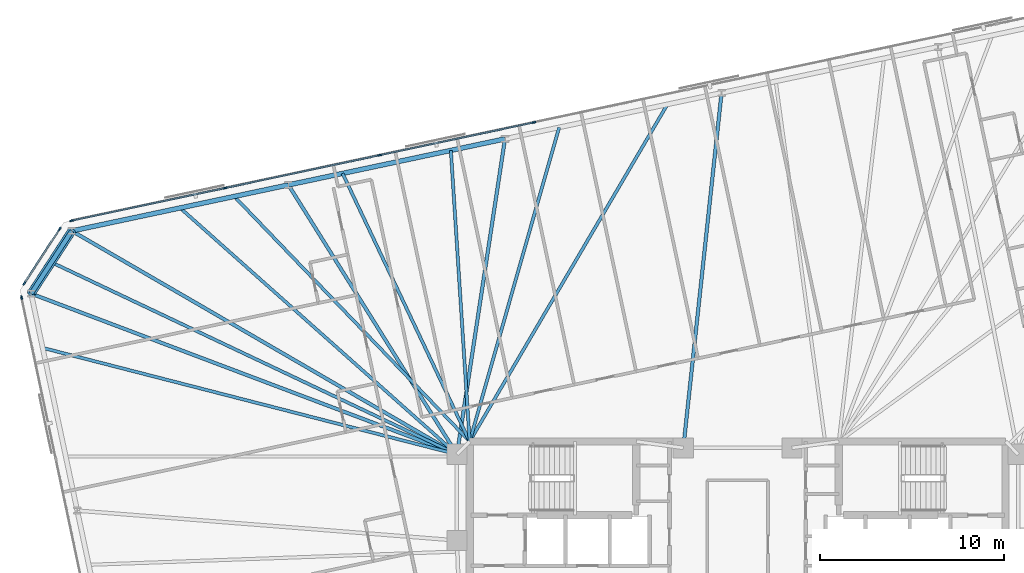
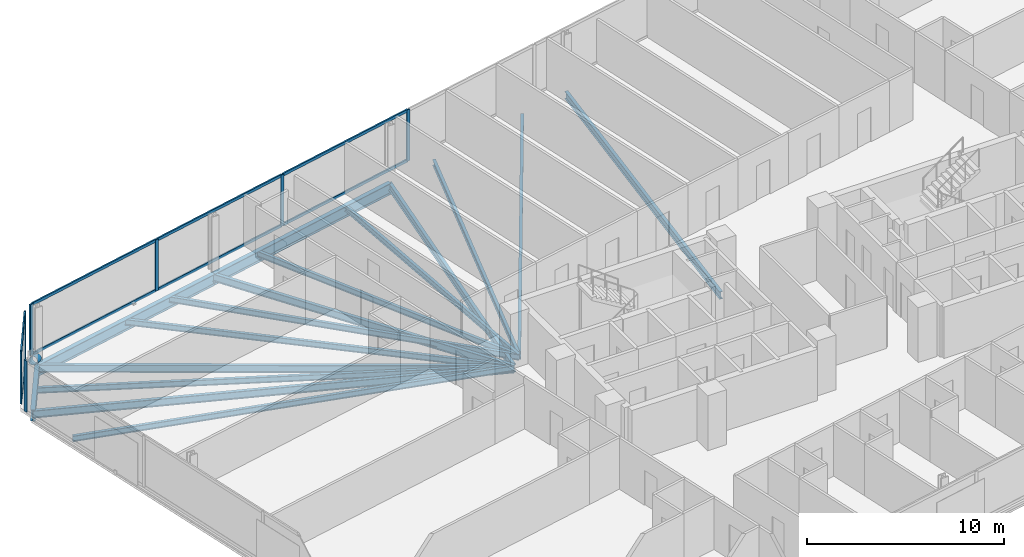
# One storey, part 9 of 21: 16 beams, 16 members, 3 elements without a shape of their own.
"""IFC4 building model written with IfcOpenShell, lengths in metres."""

from ifc_helpers import new_model, si_unit, direction, frame, origin, origin_2d, place, context, subcontext, project, spatial, rectangle, hollow_circle, i_section, extrude, material, material_profile, profile_set, type_object, element, aggregate, save


model = new_model("IFC4")

# Units and contexts
model_context = context("Model", 3, precision=1e-05, world=origin(), true_north=direction((0.0, 1.0)))
body_context = subcontext(model_context, "Body", "Model", "MODEL_VIEW")
ifc_project = project(units=[si_unit("LENGTHUNIT", "METRE"), si_unit("AREAUNIT", "SQUARE_METRE"), si_unit("VOLUMEUNIT", "CUBIC_METRE"), si_unit("PLANEANGLEUNIT", "RADIAN"), si_unit("MASSUNIT", "GRAM", prefix="KILO")], contexts=[model_context])

# Site, building, storey
site_placement = place(None, origin())
site = spatial("IfcSite", under=ifc_project, at=site_placement, CompositionType="ELEMENT")
building_placement = place(site_placement, origin())
building = spatial("IfcBuilding", under=site, at=building_placement, Name="Menara Jurai Vektor", CompositionType="ELEMENT")
storey_placement = place(building_placement, frame((0.0, 0.0, 188.800048828125)))
storey = spatial("IfcBuildingStorey", under=building, at=storey_placement, Name="L49", CompositionType="ELEMENT", Elevation=188.800048828125)

# Curtain wall, members
ifc_material_1 = material(Name="Anodised Pale Aluminium & Low-E Double Glazing", Category="aluminium")
curtain_wall_type = type_object("IfcCurtainWallType", Name="CW-BLK3", PredefinedType="NOTDEFINED", material=ifc_material_1)
curtain_wall_1_placement = place(storey_placement, origin())
curtain_wall_1 = element("IfcCurtainWall", 1, at=curtain_wall_1_placement, inside=storey, type_object=curtain_wall_type, Name="Unitised Curtain Wall L49 F05", PredefinedType="NOTDEFINED")
ifc_material_2 = material(Name="Anodised Pale Aluminium Mullion", Category="aluminium")
ifc_material_profile_1 = material_profile(ifc_material_2, rectangle(XDim=0.0849609375, YDim=0.205078125, at=origin_2d()), Name="ALU MUL 85x205")
ifc_profile_set_1 = profile_set([ifc_material_profile_1], Name="Anodised Pale Aluminium Mullion")
member_type_1 = type_object("IfcMemberType", Name="CW-BLK3-MUL", PredefinedType="MULLION", material=ifc_profile_set_1)
member_1_placement = place(storey_placement, frame((-11.06494140625, 22.9384765625, 0.0), z_axis=(0.0, 0.0, 1.0), x_axis=(0.207911344156, -0.978147674419, 0.0)))
member_1 = element("IfcMember", 2, at=member_1_placement, type_object=member_type_1, Name="CW-03 mullion 5", PredefinedType="MULLION", context=body_context, shape_type="SweptSolid", body=[
    extrude(rectangle(XDim=0.0849609375, YDim=0.205078125, at=origin_2d()), origin(), (0.0, 0.0, 1.0), 3.175048828125),
])
member_2_placement = place(storey_placement, frame((-19.45458984375, 21.1552734375, 0.0), z_axis=(0.0, 0.0, 1.0), x_axis=(0.207911344156, -0.978147674419, 0.0)))
member_2 = element("IfcMember", 3, at=member_2_placement, type_object=member_type_1, Name="CW-03 mullion 6", PredefinedType="MULLION", context=body_context, shape_type="SweptSolid", body=[
    extrude(rectangle(XDim=0.0849609375, YDim=0.205078125, at=origin_2d()), origin(), (0.0, 0.0, 1.0), 3.175048828125),
])
member_3_placement = place(storey_placement, frame((-27.844482421875, 19.3720703125, 0.0), z_axis=(0.0, 0.0, 1.0), x_axis=(0.207911344156, -0.978147674419, 0.0)))
member_3 = element("IfcMember", 4, at=member_3_placement, type_object=member_type_1, Name="CW-03 mullion 7", PredefinedType="MULLION", context=body_context, shape_type="SweptSolid", body=[
    extrude(rectangle(XDim=0.0849609375, YDim=0.205078125, at=origin_2d()), origin(), (0.0, 0.0, 1.0), 3.175048828125),
])
member_4_placement = place(storey_placement, frame((-36.192626953125, 17.59765625, 0.0), z_axis=(0.0, 0.0, 1.0), x_axis=(0.207911344156, -0.978147674419, 0.0)))
member_4 = element("IfcMember", 5, at=member_4_placement, type_object=member_type_1, Name="CW-03 mullion 8", PredefinedType="MULLION", context=body_context, shape_type="SweptSolid", body=[
    extrude(rectangle(XDim=0.0849609375, YDim=0.205078125, at=origin_2d()), origin(), (0.0, 0.0, 1.0), 3.175048828125),
])

curtain_wall_2_placement = place(storey_placement, origin())
curtain_wall_2 = element("IfcCurtainWall", 6, at=curtain_wall_2_placement, inside=storey, type_object=curtain_wall_type, Name="Unitised Curtain Wall L49 F06", PredefinedType="NOTDEFINED")
member_5_placement = place(storey_placement, frame((-36.8359375, 17.1552734375, 0.0), z_axis=(0.0, 0.0, 1.0), x_axis=(0.838684361415, -0.544617794346, 0.0)))
member_5 = element("IfcMember", 7, at=member_5_placement, type_object=member_type_1, Name="CW-03 mullion 1", PredefinedType="MULLION", context=body_context, shape_type="SweptSolid", body=[
    extrude(rectangle(XDim=0.0849609375, YDim=0.205078125, at=origin_2d()), origin(), (0.0, 0.0, 1.0), 3.175048828125),
])
member_6_placement = place(storey_placement, frame((-38.763427734375, 14.187255859375, 0.0), z_axis=(0.0, 0.0, 1.0), x_axis=(0.838684361415, -0.544617794346, 0.0)))
member_6 = element("IfcMember", 8, at=member_6_placement, type_object=member_type_1, Name="CW-03 mullion 2", PredefinedType="MULLION", context=body_context, shape_type="SweptSolid", body=[
    extrude(rectangle(XDim=0.0849609375, YDim=0.205078125, at=origin_2d()), origin(), (0.0, 0.0, 1.0), 3.175048828125),
])

# Curtain wall, member
curtain_wall_3_placement = place(storey_placement, origin())
curtain_wall_3 = element("IfcCurtainWall", 9, at=curtain_wall_3_placement, inside=storey, type_object=curtain_wall_type, Name="Unitised Curtain Wall L49 F07", PredefinedType="NOTDEFINED")
member_7_placement = place(storey_placement, frame((-38.90576171875, 13.419677734375, 0.0), z_axis=(0.0, 0.0, 1.0), x_axis=(0.978147883949, 0.20791035839, 0.0)))
member_7 = element("IfcMember", 10, at=member_7_placement, type_object=member_type_1, Name="CW-03 mullion 1", PredefinedType="MULLION", context=body_context, shape_type="SweptSolid", body=[
    extrude(rectangle(XDim=0.0849609375, YDim=0.205078125, at=origin_2d()), origin(), (0.0, 0.0, 1.0), 3.175048828125),
])
aggregate(curtain_wall_3, [member_7])

# Member
ifc_material_3 = material(Name="Anodised Pale Aluminium Transom", Category="aluminium")
ifc_material_profile_2 = material_profile(ifc_material_3, rectangle(XDim=0.0849609375, YDim=0.175048828125, at=origin_2d()), Name="ALU TRN 85x175")
ifc_profile_set_2 = profile_set([ifc_material_profile_2], Name="Anodised Pale Aluminium Transom")
member_type_2 = type_object("IfcMemberType", Name="CW-BLK3-TRN", PredefinedType="USERDEFINED", material=ifc_profile_set_2)
member_8_placement = place(storey_placement, frame((-11.1064453125, 22.9296875, 0.04248046875), z_axis=(-0.978147743708, -0.207911018178, 0.0), x_axis=(0.207911018178, -0.978147743708, 0.0)))
member_8 = element("IfcMember", 11, at=member_8_placement, type_object=member_type_2, Name="CW-03 transom 5.1", ObjectType="TRANSOM", PredefinedType="USERDEFINED", context=body_context, shape_type="SweptSolid", body=[
    extrude(rectangle(XDim=0.0849609375, YDim=0.175048828125, at=origin_2d()), origin(), (0.0, 0.0, 1.0), 8.4921875),
])

member_9_placement = place(storey_placement, frame((-11.1064453125, 22.9296875, 3.132568359375), z_axis=(-0.978147743708, -0.207911018178, 0.0), x_axis=(0.207911018178, -0.978147743708, 0.0)))
member_9 = element("IfcMember", 12, at=member_9_placement, type_object=member_type_2, Name="CW-03 transom 5.2", ObjectType="TRANSOM", PredefinedType="USERDEFINED", context=body_context, shape_type="SweptSolid", body=[
    extrude(rectangle(XDim=0.0849609375, YDim=0.175048828125, at=origin_2d()), origin(), (0.0, 0.0, 1.0), 8.4921875),
])

member_10_placement = place(storey_placement, frame((-19.496337890625, 21.146484375, 0.04248046875), z_axis=(-0.978146500933, -0.207916864907, 0.0), x_axis=(0.207916864907, -0.978146500933, 0.0)))
member_10 = element("IfcMember", 13, at=member_10_placement, type_object=member_type_2, Name="CW-03 transom 6.1", ObjectType="TRANSOM", PredefinedType="USERDEFINED", context=body_context, shape_type="SweptSolid", body=[
    extrude(rectangle(XDim=0.0849609375, YDim=0.175048828125, at=origin_2d()), origin(), (0.0, 0.0, 1.0), 8.491943359375),
])

member_11_placement = place(storey_placement, frame((-19.496337890625, 21.146484375, 3.132568359375), z_axis=(-0.978146500933, -0.207916864907, 0.0), x_axis=(0.207916864907, -0.978146500933, 0.0)))
member_11 = element("IfcMember", 14, at=member_11_placement, type_object=member_type_2, Name="CW-03 transom 6.2", ObjectType="TRANSOM", PredefinedType="USERDEFINED", context=body_context, shape_type="SweptSolid", body=[
    extrude(rectangle(XDim=0.0849609375, YDim=0.175048828125, at=origin_2d()), origin(), (0.0, 0.0, 1.0), 8.491943359375),
])

member_12_placement = place(storey_placement, frame((-27.885986328125, 19.363037109375, 0.04248046875), z_axis=(-0.978151580361, -0.207892967261, 0.0), x_axis=(0.207892967261, -0.978151580361, 0.0)))
member_12 = element("IfcMember", 15, at=member_12_placement, type_object=member_type_2, Name="CW-03 transom 7.1", ObjectType="TRANSOM", PredefinedType="USERDEFINED", context=body_context, shape_type="SweptSolid", body=[
    extrude(rectangle(XDim=0.0849609375, YDim=0.175048828125, at=origin_2d()), origin(), (0.0, 0.0, 1.0), 8.449462890625),
])

member_13_placement = place(storey_placement, frame((-27.885986328125, 19.363037109375, 3.132568359375), z_axis=(-0.978151580361, -0.207892967261, 0.0), x_axis=(0.207892967261, -0.978151580361, 0.0)))
member_13 = element("IfcMember", 16, at=member_13_placement, type_object=member_type_2, Name="CW-03 transom 7.2", ObjectType="TRANSOM", PredefinedType="USERDEFINED", context=body_context, shape_type="SweptSolid", body=[
    extrude(rectangle(XDim=0.0849609375, YDim=0.175048828125, at=origin_2d()), origin(), (0.0, 0.0, 1.0), 8.449462890625),
])

aggregate(curtain_wall_1, [member_1, member_2, member_3, member_4, member_8, member_9, member_10, member_11, member_12, member_13])

member_14_placement = place(storey_placement, frame((-36.859130859375, 17.11962890625, 0.04248046875), z_axis=(-0.54462804274, -0.83867770631, 0.0), x_axis=(0.83867770631, -0.54462804274, 0.0)))
member_14 = element("IfcMember", 17, at=member_14_placement, type_object=member_type_2, Name="CW-03 transom 1.1", ObjectType="TRANSOM", PredefinedType="USERDEFINED", context=body_context, shape_type="SweptSolid", body=[
    extrude(rectangle(XDim=0.0849609375, YDim=0.175048828125, at=origin_2d()), origin(), (0.0, 0.0, 1.0), 3.453857421875),
])

member_15_placement = place(storey_placement, frame((-36.859130859375, 17.11962890625, 3.132568359375), z_axis=(-0.54462804274, -0.83867770631, 0.0), x_axis=(0.83867770631, -0.54462804274, 0.0)))
member_15 = element("IfcMember", 18, at=member_15_placement, type_object=member_type_2, Name="CW-03 transom 1.2", ObjectType="TRANSOM", PredefinedType="USERDEFINED", context=body_context, shape_type="SweptSolid", body=[
    extrude(rectangle(XDim=0.0849609375, YDim=0.175048828125, at=origin_2d()), origin(), (0.0, 0.0, 1.0), 3.453857421875),
])

aggregate(curtain_wall_2, [member_5, member_6, member_14, member_15])

# Beams
ifc_material_4 = material(Name="Steel S355", Category="steel")
ifc_material_profile_3 = material_profile(ifc_material_4, i_section(OverallWidth=0.19091796875, OverallDepth=0.4599609375, WebThickness=0.010009765625, FlangeThickness=0.01611328125, FilletRadius=0.010009765625, at=origin_2d()), Name="UKB 457x191x82")
ifc_profile_set_3 = profile_set([ifc_material_profile_3], Name="Steel S355")
beam_type_1 = type_object("IfcBeamType", Name="STR-BM-457", PredefinedType="BEAM", material=ifc_profile_set_3)
beam_1_placement = place(storey_placement, frame((-0.87158203125, 24.54296875, -0.455078125), z_axis=(-0.107107067506, -0.994247492373, 0.0), x_axis=(0.994247492373, -0.107107067506, 0.0)))
element("IfcBeam", 19, at=beam_1_placement, inside=storey, type_object=beam_type_1, Name="Radial Floor Girder L49-N3", PredefinedType="BEAM", context=body_context, shape_type="SweptSolid", body=[
    extrude(i_section(OverallWidth=0.19091796875, OverallDepth=0.4599609375, WebThickness=0.010009765625, FlangeThickness=0.01611328125, FilletRadius=0.010009765625, at=origin_2d()), origin(), (0.0, 0.0, 1.0), 19.404541015625),
])
beam_2_placement = place(storey_placement, frame((-12.639892578125, 22.04150390625, -0.455078125), z_axis=(-0.150532344322, -0.988605084608, 0.0), x_axis=(0.988605084608, -0.150532344322, 0.0)))
element("IfcBeam", 20, at=beam_2_placement, inside=storey, type_object=beam_type_1, Name="Radial Floor Girder L49-N4", PredefinedType="BEAM", context=body_context, shape_type="SweptSolid", body=[
    extrude(i_section(OverallWidth=0.19091796875, OverallDepth=0.4599609375, WebThickness=0.010009765625, FlangeThickness=0.01611328125, FilletRadius=0.010009765625, at=origin_2d()), origin(), (0.0, 0.0, 1.0), 17.339111328125),
])
beam_3_placement = place(storey_placement, frame((-24.408203125, 19.5400390625, -0.455078125), z_axis=(0.53033693414, -0.847786963976, 0.0), x_axis=(0.847786963976, 0.53033693414, 0.0)))
element("IfcBeam", 21, at=beam_3_placement, inside=storey, type_object=beam_type_1, Name="Radial Floor Girder L49-N5", PredefinedType="BEAM", context=body_context, shape_type="SweptSolid", body=[
    extrude(i_section(OverallWidth=0.19091796875, OverallDepth=0.4599609375, WebThickness=0.010009765625, FlangeThickness=0.01611328125, FilletRadius=0.010009765625, at=origin_2d()), origin(), (0.0, 0.0, 1.0), 17.2685546875),
])
beam_4_placement = place(storey_placement, frame((-36.17626953125, 17.038818359375, -0.455078125), z_axis=(0.86500105453, -0.50177004261, 0.0), x_axis=(0.50177004261, 0.86500105453, 0.0)))
element("IfcBeam", 22, at=beam_4_placement, inside=storey, type_object=beam_type_1, Name="Radial Floor Girder L49-N6", PredefinedType="BEAM", context=body_context, shape_type="SweptSolid", body=[
    extrude(i_section(OverallWidth=0.19091796875, OverallDepth=0.4599609375, WebThickness=0.010009765625, FlangeThickness=0.01611328125, FilletRadius=0.010009765625, at=origin_2d()), origin(), (0.0, 0.0, 1.0), 24.192138671875),
])
beam_5_placement = place(storey_placement, frame((-38.388671875, 13.632080078125, -0.455078125), z_axis=(0.935593658977, -0.353078610626, 0.0), x_axis=(0.353078610626, 0.935593658977, 0.0)))
element("IfcBeam", 23, at=beam_5_placement, inside=storey, type_object=beam_type_1, Name="Radial Floor Girder L49-W1", PredefinedType="BEAM", context=body_context, shape_type="SweptSolid", body=[
    extrude(i_section(OverallWidth=0.19091796875, OverallDepth=0.4599609375, WebThickness=0.010009765625, FlangeThickness=0.01611328125, FilletRadius=0.010009765625, at=origin_2d()), origin(), (0.0, 0.0, 1.0), 24.7314453125),
])

# Member
ifc_material_5 = material(Name="Steel S460", Category="steel")
ifc_material_profile_4 = material_profile(ifc_material_5, hollow_circle(Radius=0.228515625, WallThickness=0.01611328125, at=origin_2d()), Name="CHS 457x16")
ifc_profile_set_4 = profile_set([ifc_material_profile_4], Name="Steel S460")
member_type_3 = type_object("IfcMemberType", Name="STR-BR-457", PredefinedType="BRACE", material=ifc_profile_set_4)
member_16_placement = place(storey_placement, frame((-36.17626953125, 17.03857421875, 0.14990234375), z_axis=(-0.454887866849, -0.700402825662, 0.5500117366), x_axis=(0.838648168484, -0.544673525608, 0.0)))
element("IfcMember", 24, at=member_16_placement, inside=storey, type_object=member_type_3, Name="Exoskeleton Corner Brace L49-3", PredefinedType="BRACE", context=body_context, shape_type="SweptSolid", body=[
    extrude(hollow_circle(Radius=0.228515625, WallThickness=0.01611328125, at=origin_2d()), origin(), (0.0, 0.0, 1.0), 4.863525390625),
])

# Beams
ifc_material_profile_5 = material_profile(ifc_material_4, i_section(OverallWidth=0.172119140625, OverallDepth=0.35498046875, WebThickness=0.007080078125, FlangeThickness=0.011962890625, FilletRadius=0.010009765625, at=origin_2d()), Name="UKB 356x171x51")
ifc_profile_set_5 = profile_set([ifc_material_profile_5], Name="Steel S355")
beam_type_2 = type_object("IfcBeamType", Name="STR-JS-356", PredefinedType="JOIST", material=ifc_profile_set_5)
beam_6_placement = place(storey_placement, frame((-3.813720703125, 23.91748046875, -0.402587890625), z_axis=(-0.506019514775, -0.862522029091, 0.0), x_axis=(0.862522029091, -0.506019514775, 0.0)))
element("IfcBeam", 25, at=beam_6_placement, inside=storey, type_object=beam_type_2, Name="Radial Secondary Floor Joist L49-JS22", PredefinedType="JOIST", context=body_context, shape_type="SweptSolid", body=[
    extrude(i_section(OverallWidth=0.172119140625, OverallDepth=0.35498046875, WebThickness=0.007080078125, FlangeThickness=0.011962890625, FilletRadius=0.010009765625, at=origin_2d()), origin(), (0.0, 0.0, 1.0), 21.237060546875),
])
beam_7_placement = place(storey_placement, frame((-9.69775390625, 22.666748046875, -0.402587890625), z_axis=(-0.273997863708, -0.961730300387, 0.0), x_axis=(0.961730300387, -0.273997863708, 0.0)))
element("IfcBeam", 26, at=beam_7_placement, inside=storey, type_object=beam_type_2, Name="Radial Secondary Floor Joist L49-JS23", PredefinedType="JOIST", context=body_context, shape_type="SweptSolid", body=[
    extrude(i_section(OverallWidth=0.172119140625, OverallDepth=0.35498046875, WebThickness=0.007080078125, FlangeThickness=0.011962890625, FilletRadius=0.010009765625, at=origin_2d()), origin(), (0.0, 0.0, 1.0), 17.745849609375),
])
beam_8_placement = place(storey_placement, frame((-15.581787109375, 21.416015625, -0.402587890625), z_axis=(0.064466897528, -0.997919846041, 0.0), x_axis=(0.997919846041, 0.064466897528, 0.0)))
element("IfcBeam", 27, at=beam_8_placement, inside=storey, type_object=beam_type_2, Name="Radial Secondary Floor Joist L49-JS24", PredefinedType="JOIST", context=body_context, shape_type="SweptSolid", body=[
    extrude(i_section(OverallWidth=0.172119140625, OverallDepth=0.35498046875, WebThickness=0.007080078125, FlangeThickness=0.011962890625, FilletRadius=0.010009765625, at=origin_2d()), origin(), (0.0, 0.0, 1.0), 15.848876953125),
])
beam_9_placement = place(storey_placement, frame((-21.466064453125, 20.165283203125, -0.402587890625), z_axis=(0.428426167333, -0.903576792057, 0.0), x_axis=(0.903576792057, 0.428426167333, 0.0)))
element("IfcBeam", 28, at=beam_9_placement, inside=storey, type_object=beam_type_2, Name="Radial Secondary Floor Joist L49-JS25", PredefinedType="JOIST", context=body_context, shape_type="SweptSolid", body=[
    extrude(i_section(OverallWidth=0.172119140625, OverallDepth=0.35498046875, WebThickness=0.007080078125, FlangeThickness=0.011962890625, FilletRadius=0.010009765625, at=origin_2d()), origin(), (0.0, 0.0, 1.0), 16.119384765625),
])
beam_10_placement = place(storey_placement, frame((-27.35009765625, 18.914794921875, -0.402587890625), z_axis=(0.692755307066, -0.721172714772, 0.0), x_axis=(0.721172714772, 0.692755307066, 0.0)))
element("IfcBeam", 29, at=beam_10_placement, inside=storey, type_object=beam_type_2, Name="Radial Secondary Floor Joist L49-JS26", PredefinedType="JOIST", context=body_context, shape_type="SweptSolid", body=[
    extrude(i_section(OverallWidth=0.172119140625, OverallDepth=0.35498046875, WebThickness=0.007080078125, FlangeThickness=0.011962890625, FilletRadius=0.010009765625, at=origin_2d()), origin(), (0.0, 0.0, 1.0), 18.462646484375),
])
beam_11_placement = place(storey_placement, frame((-30.292236328125, 18.289306640625, -0.402587890625), z_axis=(0.746952302948, -0.664877625673, 0.0), x_axis=(0.664877625673, 0.746952302948, 0.0)))
element("IfcBeam", 30, at=beam_11_placement, inside=storey, type_object=beam_type_2, Name="Radial Secondary Floor Joist L49-JS27", PredefinedType="JOIST", context=body_context, shape_type="SweptSolid", body=[
    extrude(i_section(OverallWidth=0.172119140625, OverallDepth=0.35498046875, WebThickness=0.007080078125, FlangeThickness=0.011962890625, FilletRadius=0.010009765625, at=origin_2d()), origin(), (0.0, 0.0, 1.0), 20.13818359375),
])
beam_12_placement = place(storey_placement, frame((-37.282470703125, 15.33544921875, -0.402587890625), z_axis=(0.903751908448, -0.428056641085, 0.0), x_axis=(0.428056641085, 0.903751908448, 0.0)))
element("IfcBeam", 31, at=beam_12_placement, inside=storey, type_object=beam_type_2, Name="Radial Secondary Floor Joist L49-JS28", PredefinedType="JOIST", context=body_context, shape_type="SweptSolid", body=[
    extrude(i_section(OverallWidth=0.172119140625, OverallDepth=0.35498046875, WebThickness=0.007080078125, FlangeThickness=0.011962890625, FilletRadius=0.010009765625, at=origin_2d()), origin(), (0.0, 0.0, 1.0), 24.37890625),
])
beam_13_placement = place(storey_placement, frame((-37.76220703125, 10.68505859375, -0.402587890625), z_axis=(0.968531283953, -0.248891848005, 0.0), x_axis=(0.248891848005, 0.968531283953, 0.0)))
element("IfcBeam", 32, at=beam_13_placement, inside=storey, type_object=beam_type_2, Name="Radial Secondary Floor Joist L49-JS29", PredefinedType="JOIST", context=body_context, shape_type="SweptSolid", body=[
    extrude(i_section(OverallWidth=0.172119140625, OverallDepth=0.35498046875, WebThickness=0.007080078125, FlangeThickness=0.011962890625, FilletRadius=0.010009765625, at=origin_2d()), origin(), (0.0, 0.0, 1.0), 23.24365234375),
])
ifc_material_profile_6 = material_profile(ifc_material_5, i_section(OverallWidth=0.256103515625, OverallDepth=0.693115234375, WebThickness=0.013916015625, FlangeThickness=0.02392578125, FilletRadius=0.014892578125, at=origin_2d()), Name="UKB 686x254x170")
ifc_profile_set_6 = profile_set([ifc_material_profile_6], Name="Steel S460")
beam_type_3 = type_object("IfcBeamType", Name="STR-SP-686", PredefinedType="SPANDREL", material=ifc_profile_set_6)
beam_14_placement = place(storey_placement, frame((-12.639892578125, 22.04150390625, -0.571533203125), z_axis=(-0.978147039247, -0.207914332389, 0.0), x_axis=(0.207914332389, -0.978147039247, 0.0)))
element("IfcBeam", 33, at=beam_14_placement, inside=storey, type_object=beam_type_3, Name="Exoskeleton Spandrel Beam L49-14", PredefinedType="SPANDREL", context=body_context, shape_type="SweptSolid", body=[
    extrude(i_section(OverallWidth=0.256103515625, OverallDepth=0.693115234375, WebThickness=0.013916015625, FlangeThickness=0.02392578125, FilletRadius=0.014892578125, at=origin_2d()), origin(), (0.0, 0.0, 1.0), 12.03125),
])
beam_15_placement = place(storey_placement, frame((-24.408203125, 19.5400390625, -0.571533203125), z_axis=(-0.978150288855, -0.207899043801, 0.0), x_axis=(0.207899043801, -0.978150288855, 0.0)))
element("IfcBeam", 34, at=beam_15_placement, inside=storey, type_object=beam_type_3, Name="Exoskeleton Spandrel Beam L49-15", PredefinedType="SPANDREL", context=body_context, shape_type="SweptSolid", body=[
    extrude(i_section(OverallWidth=0.256103515625, OverallDepth=0.693115234375, WebThickness=0.013916015625, FlangeThickness=0.02392578125, FilletRadius=0.014892578125, at=origin_2d()), origin(), (0.0, 0.0, 1.0), 12.031005859375),
])
beam_16_placement = place(storey_placement, frame((-36.17626953125, 17.038818359375, -0.571533203125), z_axis=(-0.544646071268, -0.838665998507, 0.0), x_axis=(0.838665998507, -0.544646071268, 0.0)))
element("IfcBeam", 35, at=beam_16_placement, inside=storey, type_object=beam_type_3, Name="Exoskeleton Spandrel Beam L49-16", PredefinedType="SPANDREL", context=body_context, shape_type="SweptSolid", body=[
    extrude(i_section(OverallWidth=0.256103515625, OverallDepth=0.693115234375, WebThickness=0.013916015625, FlangeThickness=0.02392578125, FilletRadius=0.014892578125, at=origin_2d()), origin(), (0.0, 0.0, 1.0), 4.06201171875),
])

save(model, "model.ifc")
